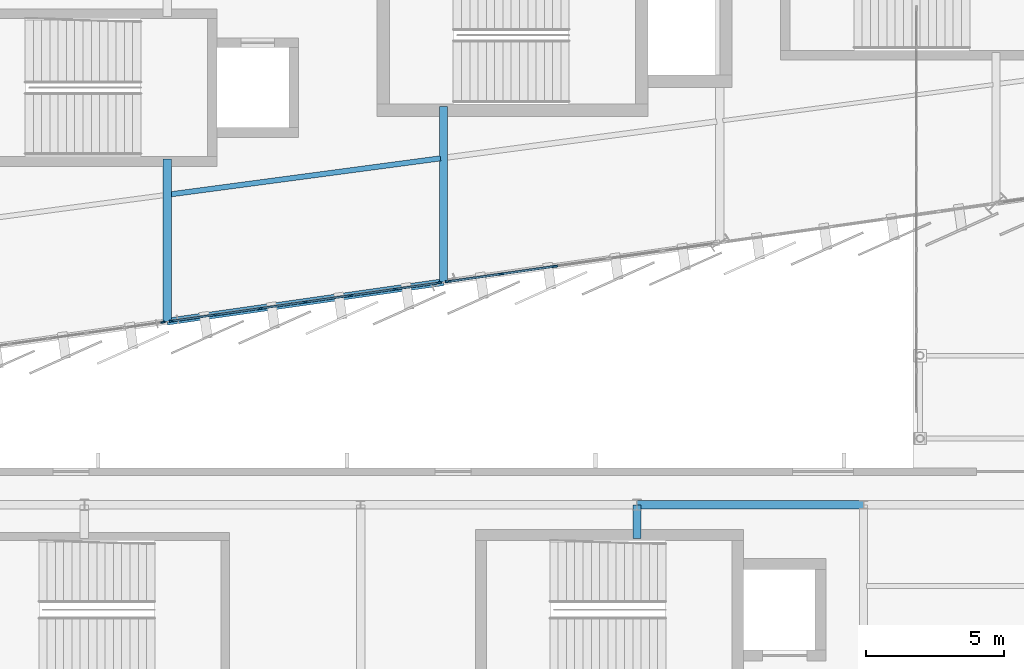
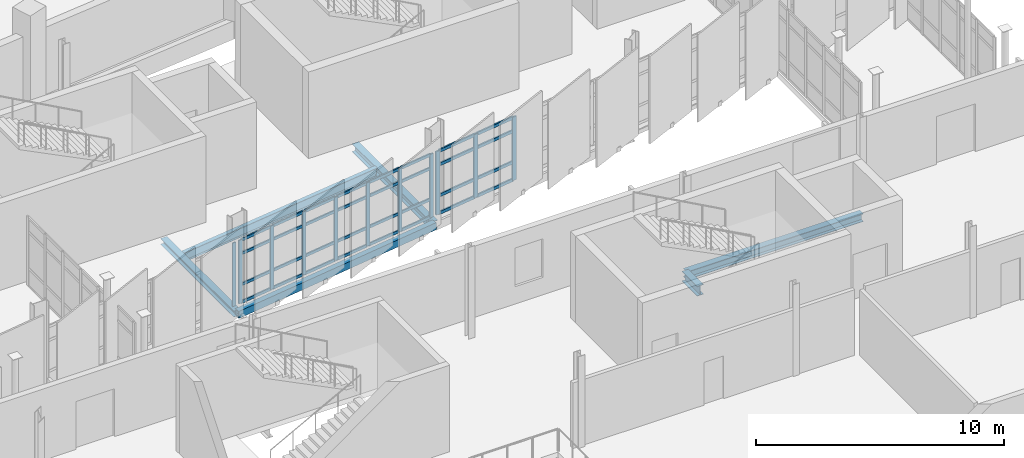
# One storey, part 37 of 134: 43 members, 6 beams, 3 elements without a shape of their own.
"""IFC4 building model written with IfcOpenShell, lengths in metres."""

from ifc_helpers import new_model, si_unit, direction, frame, origin, origin_2d, place, context, subcontext, project, spatial, rectangle, hollow_rectangle, i_section, extrude, material, layer, layer_set, material_profile, profile_set, type_object, element, aggregate, save


model = new_model("IFC4")

# Units and contexts
model_context = context("Model", 3, precision=1e-05, world=origin(), true_north=direction((0.0, 1.0)))
body_context = subcontext(model_context, "Body", "Model", "MODEL_VIEW")
ifc_project = project(units=[si_unit("LENGTHUNIT", "METRE"), si_unit("AREAUNIT", "SQUARE_METRE"), si_unit("VOLUMEUNIT", "CUBIC_METRE"), si_unit("PLANEANGLEUNIT", "RADIAN"), si_unit("MASSUNIT", "GRAM", prefix="KILO")], contexts=[model_context])

# Site, building, storey
site_placement = place(None, origin())
site = spatial("IfcSite", under=ifc_project, at=site_placement, CompositionType="ELEMENT")
building_placement = place(site_placement, origin())
building = spatial("IfcBuilding", under=site, at=building_placement, Name="Sohan Crest Arena", CompositionType="ELEMENT")
storey_placement = place(building_placement, frame((0.0, 0.0, 4.5)))
storey = spatial("IfcBuildingStorey", under=building, at=storey_placement, Name="L01", CompositionType="ELEMENT", Elevation=4.5)

# Curtain wall, member
ifc_material_1 = material(Name="Thermally broken anodised aluminium", Category="aluminium")
ifc_layer_1 = layer(ifc_material_1, 0.179931640625, Name="Thermally broken anodised aluminium")
ifc_layer_set_1 = layer_set([ifc_layer_1], Name="Thermally broken anodised aluminium")
curtain_wall_type_1 = type_object("IfcCurtainWallType", Name="ARC-CW01", PredefinedType="NOTDEFINED", material=ifc_layer_set_1)
curtain_wall_1_placement = place(storey_placement, origin())
curtain_wall_1 = element("IfcCurtainWall", 1, at=curtain_wall_1_placement, inside=storey, type_object=curtain_wall_type_1, Name="Unitised curtain wall CW-030", PredefinedType="NOTDEFINED")
ifc_material_profile_1 = material_profile(ifc_material_1, rectangle(XDim=0.06005859375, YDim=0.159912109375, at=origin_2d()), Name="ALU-MULL 60x160")
ifc_profile_set_1 = profile_set([ifc_material_profile_1], Name="Thermally broken anodised aluminium")
member_type_1 = type_object("IfcMemberType", Name="ARC-CW-ML01", PredefinedType="MULLION", material=ifc_profile_set_1)
member_1_placement = place(storey_placement, frame((107.84130859375, 31.40673828125, 0.0), z_axis=(0.0, 0.0, 1.0), x_axis=(-0.141549389674, 0.989931194722, 0.0)))
member_1 = element("IfcMember", 2, at=member_1_placement, type_object=member_type_1, Name="CW-030 mullion 8", PredefinedType="MULLION", context=body_context, shape_type="SweptSolid", body=[
    extrude(rectangle(XDim=0.06005859375, YDim=0.159912109375, at=origin_2d()), origin(), (0.0, 0.0, 1.0), 3.1201171875),
])
aggregate(curtain_wall_1, [member_1])

# Curtain wall, members
ifc_layer_2 = layer(ifc_material_1, 0.199951171875, Name="Thermally broken anodised aluminium")
ifc_layer_set_2 = layer_set([ifc_layer_2], Name="Thermally broken anodised aluminium")
curtain_wall_type_2 = type_object("IfcCurtainWallType", Name="ARC-CW02", PredefinedType="NOTDEFINED", material=ifc_layer_set_2)
curtain_wall_2_placement = place(storey_placement, origin())
curtain_wall_2 = element("IfcCurtainWall", 3, at=curtain_wall_2_placement, inside=storey, type_object=curtain_wall_type_2, Name="Unitised curtain wall CW-031", PredefinedType="NOTDEFINED")
ifc_material_profile_2 = material_profile(ifc_material_1, rectangle(XDim=0.06494140625, YDim=0.179931640625, at=origin_2d()), Name="ALU-MULL 65x180")
ifc_profile_set_2 = profile_set([ifc_material_profile_2], Name="Thermally broken anodised aluminium")
member_type_2 = type_object("IfcMemberType", Name="ARC-CW-ML02", PredefinedType="MULLION", material=ifc_profile_set_2)
member_2_placement = place(storey_placement, frame((108.1611328125, 31.45166015625, 0.0), z_axis=(0.0, 0.0, 1.0), x_axis=(-0.141449808729, 0.989945428602, 0.0)))
member_2 = element("IfcMember", 4, at=member_2_placement, type_object=member_type_2, Name="CW-031 mullion 1", PredefinedType="MULLION", context=body_context, shape_type="SweptSolid", body=[
    extrude(rectangle(XDim=0.06494140625, YDim=0.179931640625, at=origin_2d()), origin(), (0.0, 0.0, 1.0), 3.1201171875),
])
member_3_placement = place(storey_placement, frame((109.752685546875, 31.678955078125, 0.0), z_axis=(0.0, 0.0, 1.0), x_axis=(-0.141449808729, 0.989945428602, 0.0)))
member_3 = element("IfcMember", 5, at=member_3_placement, type_object=member_type_2, Name="CW-031 mullion 2", PredefinedType="MULLION", context=body_context, shape_type="SweptSolid", body=[
    extrude(rectangle(XDim=0.06494140625, YDim=0.179931640625, at=origin_2d()), origin(), (0.0, 0.0, 1.0), 3.1201171875),
])
member_4_placement = place(storey_placement, frame((111.376220703125, 31.910888671875, 0.0), z_axis=(0.0, 0.0, 1.0), x_axis=(-0.141449808729, 0.989945428602, 0.0)))
member_4 = element("IfcMember", 6, at=member_4_placement, type_object=member_type_2, Name="CW-031 mullion 3", PredefinedType="MULLION", context=body_context, shape_type="SweptSolid", body=[
    extrude(rectangle(XDim=0.06494140625, YDim=0.179931640625, at=origin_2d()), origin(), (0.0, 0.0, 1.0), 3.1201171875),
])
member_5_placement = place(storey_placement, frame((113.0, 32.14306640625, 0.0), z_axis=(0.0, 0.0, 1.0), x_axis=(-0.141449808729, 0.989945428602, 0.0)))
member_5 = element("IfcMember", 7, at=member_5_placement, type_object=member_type_2, Name="CW-031 mullion 4", PredefinedType="MULLION", context=body_context, shape_type="SweptSolid", body=[
    extrude(rectangle(XDim=0.06494140625, YDim=0.179931640625, at=origin_2d()), origin(), (0.0, 0.0, 1.0), 3.1201171875),
])
member_6_placement = place(storey_placement, frame((114.623779296875, 32.375, 0.0), z_axis=(0.0, 0.0, 1.0), x_axis=(-0.141449808729, 0.989945428602, 0.0)))
member_6 = element("IfcMember", 8, at=member_6_placement, type_object=member_type_2, Name="CW-031 mullion 5", PredefinedType="MULLION", context=body_context, shape_type="SweptSolid", body=[
    extrude(rectangle(XDim=0.06494140625, YDim=0.179931640625, at=origin_2d()), origin(), (0.0, 0.0, 1.0), 3.1201171875),
])
member_7_placement = place(storey_placement, frame((116.247314453125, 32.60693359375, 0.0), z_axis=(0.0, 0.0, 1.0), x_axis=(-0.141449808729, 0.989945428602, 0.0)))
member_7 = element("IfcMember", 9, at=member_7_placement, type_object=member_type_2, Name="CW-031 mullion 6", PredefinedType="MULLION", context=body_context, shape_type="SweptSolid", body=[
    extrude(rectangle(XDim=0.06494140625, YDim=0.179931640625, at=origin_2d()), origin(), (0.0, 0.0, 1.0), 3.1201171875),
])
member_8_placement = place(storey_placement, frame((117.8388671875, 32.83447265625, 0.0), z_axis=(0.0, 0.0, 1.0), x_axis=(-0.141449808729, 0.989945428602, 0.0)))
member_8 = element("IfcMember", 10, at=member_8_placement, type_object=member_type_2, Name="CW-031 mullion 7", PredefinedType="MULLION", context=body_context, shape_type="SweptSolid", body=[
    extrude(rectangle(XDim=0.06494140625, YDim=0.179931640625, at=origin_2d()), origin(), (0.0, 0.0, 1.0), 3.1201171875),
])

ifc_layer_3 = layer(ifc_material_1, 0.219970703125, Name="Thermally broken anodised aluminium")
ifc_layer_set_3 = layer_set([ifc_layer_3], Name="Thermally broken anodised aluminium")
curtain_wall_type_3 = type_object("IfcCurtainWallType", Name="ARC-CW03", PredefinedType="NOTDEFINED", material=ifc_layer_set_3)
curtain_wall_3_placement = place(storey_placement, origin())
curtain_wall_3 = element("IfcCurtainWall", 11, at=curtain_wall_3_placement, inside=storey, type_object=curtain_wall_type_3, Name="Unitised curtain wall CW-032", PredefinedType="NOTDEFINED")
ifc_material_profile_3 = material_profile(ifc_material_1, rectangle(XDim=0.070068359375, YDim=0.199951171875, at=origin_2d()), Name="ALU-MULL 70x200")
ifc_profile_set_3 = profile_set([ifc_material_profile_3], Name="Thermally broken anodised aluminium")
member_type_3 = type_object("IfcMemberType", Name="ARC-CW-ML03", PredefinedType="MULLION", material=ifc_profile_set_3)
member_9_placement = place(storey_placement, frame((118.16357421875, 32.8798828125, 0.0), z_axis=(0.0, 0.0, 1.0), x_axis=(-0.141549389674, 0.989931194722, 0.0)))
member_9 = element("IfcMember", 12, at=member_9_placement, type_object=member_type_3, Name="CW-032 mullion 1", PredefinedType="MULLION", context=body_context, shape_type="SweptSolid", body=[
    extrude(rectangle(XDim=0.070068359375, YDim=0.199951171875, at=origin_2d()), origin(), (0.0, 0.0, 1.0), 3.1201171875),
])
member_10_placement = place(storey_placement, frame((120.077392578125, 33.153564453125, 0.0), z_axis=(0.0, 0.0, 1.0), x_axis=(-0.141549389674, 0.989931194722, 0.0)))
member_10 = element("IfcMember", 13, at=member_10_placement, type_object=member_type_3, Name="CW-032 mullion 2", PredefinedType="MULLION", context=body_context, shape_type="SweptSolid", body=[
    extrude(rectangle(XDim=0.070068359375, YDim=0.199951171875, at=origin_2d()), origin(), (0.0, 0.0, 1.0), 3.1201171875),
])
member_11_placement = place(storey_placement, frame((122.02587890625, 33.43212890625, 0.0), z_axis=(0.0, 0.0, 1.0), x_axis=(-0.141549389674, 0.989931194722, 0.0)))
member_11 = element("IfcMember", 14, at=member_11_placement, type_object=member_type_3, Name="CW-032 mullion 3", PredefinedType="MULLION", context=body_context, shape_type="SweptSolid", body=[
    extrude(rectangle(XDim=0.070068359375, YDim=0.199951171875, at=origin_2d()), origin(), (0.0, 0.0, 1.0), 3.1201171875),
])

# Member
ifc_material_profile_4 = material_profile(ifc_material_1, rectangle(XDim=0.06494140625, YDim=0.139892578125, at=origin_2d()), Name="ALU-TRAN 65x140")
ifc_profile_set_4 = profile_set([ifc_material_profile_4], Name="Thermally broken anodised aluminium")
member_type_4 = type_object("IfcMemberType", Name="ARC-CW-TR02", PredefinedType="USERDEFINED", material=ifc_profile_set_4)
member_12_placement = place(storey_placement, frame((108.193359375, 31.456298828125, 0.032470703125), z_axis=(0.98996215108, 0.141332725966, 0.0), x_axis=(-0.141332725966, 0.98996215108, 0.0)))
member_12 = element("IfcMember", 15, at=member_12_placement, type_object=member_type_4, Name="CW-031 transom 1.1", ObjectType="TRANSOM", PredefinedType="USERDEFINED", context=body_context, shape_type="SweptSolid", body=[
    extrude(rectangle(XDim=0.06494140625, YDim=0.139892578125, at=origin_2d()), origin(), (0.0, 0.0, 1.0), 1.54248046875),
])

member_13_placement = place(storey_placement, frame((108.193359375, 31.456298828125, 0.89990234375), z_axis=(0.98996215108, 0.141332725966, 0.0), x_axis=(-0.141332725966, 0.98996215108, 0.0)))
member_13 = element("IfcMember", 16, at=member_13_placement, type_object=member_type_4, Name="CW-031 transom 1.2", ObjectType="TRANSOM", PredefinedType="USERDEFINED", context=body_context, shape_type="SweptSolid", body=[
    extrude(rectangle(XDim=0.06494140625, YDim=0.139892578125, at=origin_2d()), origin(), (0.0, 0.0, 1.0), 1.54248046875),
])

member_14_placement = place(storey_placement, frame((108.193359375, 31.456298828125, 2.419921875), z_axis=(0.98996215108, 0.141332725966, 0.0), x_axis=(-0.141332725966, 0.98996215108, 0.0)))
member_14 = element("IfcMember", 17, at=member_14_placement, type_object=member_type_4, Name="CW-031 transom 1.3", ObjectType="TRANSOM", PredefinedType="USERDEFINED", context=body_context, shape_type="SweptSolid", body=[
    extrude(rectangle(XDim=0.06494140625, YDim=0.139892578125, at=origin_2d()), origin(), (0.0, 0.0, 1.0), 1.54248046875),
])

member_15_placement = place(storey_placement, frame((108.193359375, 31.456298828125, 3.08740234375), z_axis=(0.98996215108, 0.141332725966, 0.0), x_axis=(-0.141332725966, 0.98996215108, 0.0)))
member_15 = element("IfcMember", 18, at=member_15_placement, type_object=member_type_4, Name="CW-031 transom 1.4", ObjectType="TRANSOM", PredefinedType="USERDEFINED", context=body_context, shape_type="SweptSolid", body=[
    extrude(rectangle(XDim=0.06494140625, YDim=0.139892578125, at=origin_2d()), origin(), (0.0, 0.0, 1.0), 1.54248046875),
])

member_16_placement = place(storey_placement, frame((109.784912109375, 31.68359375, 0.032470703125), z_axis=(0.989937090456, 0.141508151493, 0.0), x_axis=(-0.141508151493, 0.989937090456, 0.0)))
member_16 = element("IfcMember", 19, at=member_16_placement, type_object=member_type_4, Name="CW-031 transom 2.1", ObjectType="TRANSOM", PredefinedType="USERDEFINED", context=body_context, shape_type="SweptSolid", body=[
    extrude(rectangle(XDim=0.06494140625, YDim=0.139892578125, at=origin_2d()), origin(), (0.0, 0.0, 1.0), 1.5751953125),
])

member_17_placement = place(storey_placement, frame((109.784912109375, 31.68359375, 0.89990234375), z_axis=(0.989937090456, 0.141508151493, 0.0), x_axis=(-0.141508151493, 0.989937090456, 0.0)))
member_17 = element("IfcMember", 20, at=member_17_placement, type_object=member_type_4, Name="CW-031 transom 2.2", ObjectType="TRANSOM", PredefinedType="USERDEFINED", context=body_context, shape_type="SweptSolid", body=[
    extrude(rectangle(XDim=0.06494140625, YDim=0.139892578125, at=origin_2d()), origin(), (0.0, 0.0, 1.0), 1.5751953125),
])

member_18_placement = place(storey_placement, frame((109.784912109375, 31.68359375, 2.419921875), z_axis=(0.989937090456, 0.141508151493, 0.0), x_axis=(-0.141508151493, 0.989937090456, 0.0)))
member_18 = element("IfcMember", 21, at=member_18_placement, type_object=member_type_4, Name="CW-031 transom 2.3", ObjectType="TRANSOM", PredefinedType="USERDEFINED", context=body_context, shape_type="SweptSolid", body=[
    extrude(rectangle(XDim=0.06494140625, YDim=0.139892578125, at=origin_2d()), origin(), (0.0, 0.0, 1.0), 1.5751953125),
])

member_19_placement = place(storey_placement, frame((109.784912109375, 31.68359375, 3.08740234375), z_axis=(0.989937090456, 0.141508151493, 0.0), x_axis=(-0.141508151493, 0.989937090456, 0.0)))
member_19 = element("IfcMember", 22, at=member_19_placement, type_object=member_type_4, Name="CW-031 transom 2.4", ObjectType="TRANSOM", PredefinedType="USERDEFINED", context=body_context, shape_type="SweptSolid", body=[
    extrude(rectangle(XDim=0.06494140625, YDim=0.139892578125, at=origin_2d()), origin(), (0.0, 0.0, 1.0), 1.5751953125),
])

member_20_placement = place(storey_placement, frame((111.408447265625, 31.91552734375, 0.032470703125), z_axis=(0.989937090456, 0.141508151493, 0.0), x_axis=(-0.141508151493, 0.989937090456, 0.0)))
member_20 = element("IfcMember", 23, at=member_20_placement, type_object=member_type_4, Name="CW-031 transom 3.1", ObjectType="TRANSOM", PredefinedType="USERDEFINED", context=body_context, shape_type="SweptSolid", body=[
    extrude(rectangle(XDim=0.06494140625, YDim=0.139892578125, at=origin_2d()), origin(), (0.0, 0.0, 1.0), 1.5751953125),
])

member_21_placement = place(storey_placement, frame((111.408447265625, 31.91552734375, 0.89990234375), z_axis=(0.989937090456, 0.141508151493, 0.0), x_axis=(-0.141508151493, 0.989937090456, 0.0)))
member_21 = element("IfcMember", 24, at=member_21_placement, type_object=member_type_4, Name="CW-031 transom 3.2", ObjectType="TRANSOM", PredefinedType="USERDEFINED", context=body_context, shape_type="SweptSolid", body=[
    extrude(rectangle(XDim=0.06494140625, YDim=0.139892578125, at=origin_2d()), origin(), (0.0, 0.0, 1.0), 1.5751953125),
])

member_22_placement = place(storey_placement, frame((111.408447265625, 31.91552734375, 2.419921875), z_axis=(0.989937090456, 0.141508151493, 0.0), x_axis=(-0.141508151493, 0.989937090456, 0.0)))
member_22 = element("IfcMember", 25, at=member_22_placement, type_object=member_type_4, Name="CW-031 transom 3.3", ObjectType="TRANSOM", PredefinedType="USERDEFINED", context=body_context, shape_type="SweptSolid", body=[
    extrude(rectangle(XDim=0.06494140625, YDim=0.139892578125, at=origin_2d()), origin(), (0.0, 0.0, 1.0), 1.5751953125),
])

member_23_placement = place(storey_placement, frame((111.408447265625, 31.91552734375, 3.08740234375), z_axis=(0.989937090456, 0.141508151493, 0.0), x_axis=(-0.141508151493, 0.989937090456, 0.0)))
member_23 = element("IfcMember", 26, at=member_23_placement, type_object=member_type_4, Name="CW-031 transom 3.4", ObjectType="TRANSOM", PredefinedType="USERDEFINED", context=body_context, shape_type="SweptSolid", body=[
    extrude(rectangle(XDim=0.06494140625, YDim=0.139892578125, at=origin_2d()), origin(), (0.0, 0.0, 1.0), 1.5751953125),
])

member_24_placement = place(storey_placement, frame((113.0322265625, 32.147705078125, 0.032470703125), z_axis=(0.989958791275, 0.141356257655, 0.0), x_axis=(-0.141356257655, 0.989958791275, 0.0)))
member_24 = element("IfcMember", 27, at=member_24_placement, type_object=member_type_4, Name="CW-031 transom 4.1", ObjectType="TRANSOM", PredefinedType="USERDEFINED", context=body_context, shape_type="SweptSolid", body=[
    extrude(rectangle(XDim=0.06494140625, YDim=0.139892578125, at=origin_2d()), origin(), (0.0, 0.0, 1.0), 1.5751953125),
])

member_25_placement = place(storey_placement, frame((113.0322265625, 32.147705078125, 0.89990234375), z_axis=(0.989958791275, 0.141356257655, 0.0), x_axis=(-0.141356257655, 0.989958791275, 0.0)))
member_25 = element("IfcMember", 28, at=member_25_placement, type_object=member_type_4, Name="CW-031 transom 4.2", ObjectType="TRANSOM", PredefinedType="USERDEFINED", context=body_context, shape_type="SweptSolid", body=[
    extrude(rectangle(XDim=0.06494140625, YDim=0.139892578125, at=origin_2d()), origin(), (0.0, 0.0, 1.0), 1.5751953125),
])

member_26_placement = place(storey_placement, frame((113.0322265625, 32.147705078125, 2.419921875), z_axis=(0.989958791275, 0.141356257655, 0.0), x_axis=(-0.141356257655, 0.989958791275, 0.0)))
member_26 = element("IfcMember", 29, at=member_26_placement, type_object=member_type_4, Name="CW-031 transom 4.3", ObjectType="TRANSOM", PredefinedType="USERDEFINED", context=body_context, shape_type="SweptSolid", body=[
    extrude(rectangle(XDim=0.06494140625, YDim=0.139892578125, at=origin_2d()), origin(), (0.0, 0.0, 1.0), 1.5751953125),
])

member_27_placement = place(storey_placement, frame((113.0322265625, 32.147705078125, 3.08740234375), z_axis=(0.989958791275, 0.141356257655, 0.0), x_axis=(-0.141356257655, 0.989958791275, 0.0)))
member_27 = element("IfcMember", 30, at=member_27_placement, type_object=member_type_4, Name="CW-031 transom 4.4", ObjectType="TRANSOM", PredefinedType="USERDEFINED", context=body_context, shape_type="SweptSolid", body=[
    extrude(rectangle(XDim=0.06494140625, YDim=0.139892578125, at=origin_2d()), origin(), (0.0, 0.0, 1.0), 1.5751953125),
])

member_28_placement = place(storey_placement, frame((114.65576171875, 32.379638671875, 0.032470703125), z_axis=(0.989958791275, 0.141356257655, 0.0), x_axis=(-0.141356257655, 0.989958791275, 0.0)))
member_28 = element("IfcMember", 31, at=member_28_placement, type_object=member_type_4, Name="CW-031 transom 5.1", ObjectType="TRANSOM", PredefinedType="USERDEFINED", context=body_context, shape_type="SweptSolid", body=[
    extrude(rectangle(XDim=0.06494140625, YDim=0.139892578125, at=origin_2d()), origin(), (0.0, 0.0, 1.0), 1.5751953125),
])

member_29_placement = place(storey_placement, frame((114.65576171875, 32.379638671875, 0.89990234375), z_axis=(0.989958791275, 0.141356257655, 0.0), x_axis=(-0.141356257655, 0.989958791275, 0.0)))
member_29 = element("IfcMember", 32, at=member_29_placement, type_object=member_type_4, Name="CW-031 transom 5.2", ObjectType="TRANSOM", PredefinedType="USERDEFINED", context=body_context, shape_type="SweptSolid", body=[
    extrude(rectangle(XDim=0.06494140625, YDim=0.139892578125, at=origin_2d()), origin(), (0.0, 0.0, 1.0), 1.5751953125),
])

member_30_placement = place(storey_placement, frame((114.65576171875, 32.379638671875, 2.419921875), z_axis=(0.989958791275, 0.141356257655, 0.0), x_axis=(-0.141356257655, 0.989958791275, 0.0)))
member_30 = element("IfcMember", 33, at=member_30_placement, type_object=member_type_4, Name="CW-031 transom 5.3", ObjectType="TRANSOM", PredefinedType="USERDEFINED", context=body_context, shape_type="SweptSolid", body=[
    extrude(rectangle(XDim=0.06494140625, YDim=0.139892578125, at=origin_2d()), origin(), (0.0, 0.0, 1.0), 1.5751953125),
])

member_31_placement = place(storey_placement, frame((114.65576171875, 32.379638671875, 3.08740234375), z_axis=(0.989958791275, 0.141356257655, 0.0), x_axis=(-0.141356257655, 0.989958791275, 0.0)))
member_31 = element("IfcMember", 34, at=member_31_placement, type_object=member_type_4, Name="CW-031 transom 5.4", ObjectType="TRANSOM", PredefinedType="USERDEFINED", context=body_context, shape_type="SweptSolid", body=[
    extrude(rectangle(XDim=0.06494140625, YDim=0.139892578125, at=origin_2d()), origin(), (0.0, 0.0, 1.0), 1.5751953125),
])

member_32_placement = place(storey_placement, frame((116.279541015625, 32.611572265625, 0.032470703125), z_axis=(0.989939995602, 0.14148782671, 0.0), x_axis=(-0.14148782671, 0.989939995602, 0.0)))
member_32 = element("IfcMember", 35, at=member_32_placement, type_object=member_type_4, Name="CW-031 transom 6.1", ObjectType="TRANSOM", PredefinedType="USERDEFINED", context=body_context, shape_type="SweptSolid", body=[
    extrude(rectangle(XDim=0.06494140625, YDim=0.139892578125, at=origin_2d()), origin(), (0.0, 0.0, 1.0), 1.542724609375),
])

member_33_placement = place(storey_placement, frame((116.279541015625, 32.611572265625, 0.89990234375), z_axis=(0.989939995602, 0.14148782671, 0.0), x_axis=(-0.14148782671, 0.989939995602, 0.0)))
member_33 = element("IfcMember", 36, at=member_33_placement, type_object=member_type_4, Name="CW-031 transom 6.2", ObjectType="TRANSOM", PredefinedType="USERDEFINED", context=body_context, shape_type="SweptSolid", body=[
    extrude(rectangle(XDim=0.06494140625, YDim=0.139892578125, at=origin_2d()), origin(), (0.0, 0.0, 1.0), 1.542724609375),
])

member_34_placement = place(storey_placement, frame((116.279541015625, 32.611572265625, 2.419921875), z_axis=(0.989939995602, 0.14148782671, 0.0), x_axis=(-0.14148782671, 0.989939995602, 0.0)))
member_34 = element("IfcMember", 37, at=member_34_placement, type_object=member_type_4, Name="CW-031 transom 6.3", ObjectType="TRANSOM", PredefinedType="USERDEFINED", context=body_context, shape_type="SweptSolid", body=[
    extrude(rectangle(XDim=0.06494140625, YDim=0.139892578125, at=origin_2d()), origin(), (0.0, 0.0, 1.0), 1.542724609375),
])

member_35_placement = place(storey_placement, frame((116.279541015625, 32.611572265625, 3.08740234375), z_axis=(0.989939995602, 0.14148782671, 0.0), x_axis=(-0.14148782671, 0.989939995602, 0.0)))
member_35 = element("IfcMember", 38, at=member_35_placement, type_object=member_type_4, Name="CW-031 transom 6.4", ObjectType="TRANSOM", PredefinedType="USERDEFINED", context=body_context, shape_type="SweptSolid", body=[
    extrude(rectangle(XDim=0.06494140625, YDim=0.139892578125, at=origin_2d()), origin(), (0.0, 0.0, 1.0), 1.542724609375),
])

aggregate(curtain_wall_2, [member_2, member_3, member_4, member_5, member_6, member_7, member_8, member_12, member_13, member_14, member_15, member_16, member_17, member_18, member_19, member_20, member_21, member_22, member_23, member_24, member_25, member_26, member_27, member_28, member_29, member_30, member_31, member_32, member_33, member_34, member_35])

ifc_material_profile_5 = material_profile(ifc_material_1, rectangle(XDim=0.070068359375, YDim=0.14990234375, at=origin_2d()), Name="ALU-TRAN 70x150")
ifc_profile_set_5 = profile_set([ifc_material_profile_5], Name="Thermally broken anodised aluminium")
member_type_5 = type_object("IfcMemberType", Name="ARC-CW-TR03", PredefinedType="USERDEFINED", material=ifc_profile_set_5)
member_36_placement = place(storey_placement, frame((118.1982421875, 32.885009765625, 0.034912109375), z_axis=(0.989936386349, 0.141513077069, 0.0), x_axis=(-0.141513077069, 0.989936386349, 0.0)))
member_36 = element("IfcMember", 39, at=member_36_placement, type_object=member_type_5, Name="CW-032 transom 1.1", ObjectType="TRANSOM", PredefinedType="USERDEFINED", context=body_context, shape_type="SweptSolid", body=[
    extrude(rectangle(XDim=0.070068359375, YDim=0.14990234375, at=origin_2d()), origin(), (0.0, 0.0, 1.0), 1.86328125),
])

member_37_placement = place(storey_placement, frame((118.1982421875, 32.885009765625, 0.89990234375), z_axis=(0.989936386349, 0.141513077069, 0.0), x_axis=(-0.141513077069, 0.989936386349, 0.0)))
member_37 = element("IfcMember", 40, at=member_37_placement, type_object=member_type_5, Name="CW-032 transom 1.2", ObjectType="TRANSOM", PredefinedType="USERDEFINED", context=body_context, shape_type="SweptSolid", body=[
    extrude(rectangle(XDim=0.070068359375, YDim=0.14990234375, at=origin_2d()), origin(), (0.0, 0.0, 1.0), 1.86328125),
])

member_38_placement = place(storey_placement, frame((118.1982421875, 32.885009765625, 2.419921875), z_axis=(0.989936386349, 0.141513077069, 0.0), x_axis=(-0.141513077069, 0.989936386349, 0.0)))
member_38 = element("IfcMember", 41, at=member_38_placement, type_object=member_type_5, Name="CW-032 transom 1.3", ObjectType="TRANSOM", PredefinedType="USERDEFINED", context=body_context, shape_type="SweptSolid", body=[
    extrude(rectangle(XDim=0.070068359375, YDim=0.14990234375, at=origin_2d()), origin(), (0.0, 0.0, 1.0), 1.86328125),
])

member_39_placement = place(storey_placement, frame((118.1982421875, 32.885009765625, 3.0849609375), z_axis=(0.989936386349, 0.141513077069, 0.0), x_axis=(-0.141513077069, 0.989936386349, 0.0)))
member_39 = element("IfcMember", 42, at=member_39_placement, type_object=member_type_5, Name="CW-032 transom 1.4", ObjectType="TRANSOM", PredefinedType="USERDEFINED", context=body_context, shape_type="SweptSolid", body=[
    extrude(rectangle(XDim=0.070068359375, YDim=0.14990234375, at=origin_2d()), origin(), (0.0, 0.0, 1.0), 1.86328125),
])

member_40_placement = place(storey_placement, frame((120.112060546875, 33.158447265625, 0.034912109375), z_axis=(0.989923754959, 0.141601410187, 0.0), x_axis=(-0.141601410187, 0.989923754959, 0.0)))
member_40 = element("IfcMember", 43, at=member_40_placement, type_object=member_type_5, Name="CW-032 transom 2.1", ObjectType="TRANSOM", PredefinedType="USERDEFINED", context=body_context, shape_type="SweptSolid", body=[
    extrude(rectangle(XDim=0.070068359375, YDim=0.14990234375, at=origin_2d()), origin(), (0.0, 0.0, 1.0), 1.898193359375),
])

member_41_placement = place(storey_placement, frame((120.112060546875, 33.158447265625, 0.89990234375), z_axis=(0.989923754959, 0.141601410187, 0.0), x_axis=(-0.141601410187, 0.989923754959, 0.0)))
member_41 = element("IfcMember", 44, at=member_41_placement, type_object=member_type_5, Name="CW-032 transom 2.2", ObjectType="TRANSOM", PredefinedType="USERDEFINED", context=body_context, shape_type="SweptSolid", body=[
    extrude(rectangle(XDim=0.070068359375, YDim=0.14990234375, at=origin_2d()), origin(), (0.0, 0.0, 1.0), 1.898193359375),
])

member_42_placement = place(storey_placement, frame((120.112060546875, 33.158447265625, 2.419921875), z_axis=(0.989923754959, 0.141601410187, 0.0), x_axis=(-0.141601410187, 0.989923754959, 0.0)))
member_42 = element("IfcMember", 45, at=member_42_placement, type_object=member_type_5, Name="CW-032 transom 2.3", ObjectType="TRANSOM", PredefinedType="USERDEFINED", context=body_context, shape_type="SweptSolid", body=[
    extrude(rectangle(XDim=0.070068359375, YDim=0.14990234375, at=origin_2d()), origin(), (0.0, 0.0, 1.0), 1.898193359375),
])

member_43_placement = place(storey_placement, frame((120.112060546875, 33.158447265625, 3.0849609375), z_axis=(0.989923754959, 0.141601410187, 0.0), x_axis=(-0.141601410187, 0.989923754959, 0.0)))
member_43 = element("IfcMember", 46, at=member_43_placement, type_object=member_type_5, Name="CW-032 transom 2.4", ObjectType="TRANSOM", PredefinedType="USERDEFINED", context=body_context, shape_type="SweptSolid", body=[
    extrude(rectangle(XDim=0.070068359375, YDim=0.14990234375, at=origin_2d()), origin(), (0.0, 0.0, 1.0), 1.898193359375),
])

aggregate(curtain_wall_3, [member_9, member_10, member_11, member_36, member_37, member_38, member_39, member_40, member_41, member_42, member_43])

# Beams
ifc_material_2 = material(Name="Steel S355", Category="steel")
ifc_material_profile_6 = material_profile(ifc_material_2, i_section(OverallWidth=0.18994140625, OverallDepth=0.449951171875, WebThickness=0.009521484375, FlangeThickness=0.0146484375, at=origin_2d()), Name="IPE 450")
ifc_profile_set_6 = profile_set([ifc_material_profile_6], Name="Steel S355")
beam_type_1 = type_object("IfcBeamType", Name="STR-BM-B04", PredefinedType="JOIST", material=ifc_profile_set_6)
beam_1_placement = place(storey_placement, frame((108.10888671875, 36.035888671875, -0.5), z_axis=(0.991229196985, 0.132153997462, 0.0), x_axis=(-0.132153997462, 0.991229196985, 0.0)))
element("IfcBeam", 47, at=beam_1_placement, inside=storey, type_object=beam_type_1, Name="Structural beam J-L01-1147", PredefinedType="JOIST", context=body_context, shape_type="SweptSolid", body=[
    extrude(i_section(OverallWidth=0.18994140625, OverallDepth=0.449951171875, WebThickness=0.009521484375, FlangeThickness=0.0146484375, at=origin_2d()), origin(), (0.0, 0.0, 1.0), 9.868896484375),
])
ifc_material_profile_7 = material_profile(ifc_material_2, i_section(OverallWidth=0.300048828125, OverallDepth=0.389892578125, WebThickness=0.010986328125, FlangeThickness=0.01904296875, at=origin_2d()), Name="HEA 400")
ifc_profile_set_7 = profile_set([ifc_material_profile_7], Name="Steel S355")
beam_type_2 = type_object("IfcBeamType", Name="STR-BM-B09", PredefinedType="BEAM", material=ifc_profile_set_7)
beam_2_placement = place(storey_placement, frame((125.0, 24.800048828125, -0.445068359375), z_axis=(1.0, 0.0, 0.0), x_axis=(0.0, 1.0, 0.0)))
element("IfcBeam", 48, at=beam_2_placement, inside=storey, type_object=beam_type_2, Name="Structural beam G-L01-2624", PredefinedType="BEAM", context=body_context, shape_type="SweptSolid", body=[
    extrude(i_section(OverallWidth=0.300048828125, OverallDepth=0.389892578125, WebThickness=0.010986328125, FlangeThickness=0.01904296875, at=origin_2d()), origin(), (0.0, 0.0, 1.0), 8.199951171875),
])
ifc_material_profile_8 = material_profile(ifc_material_2, i_section(OverallWidth=0.300048828125, OverallDepth=0.489990234375, WebThickness=0.011962890625, FlangeThickness=0.02294921875, at=origin_2d()), Name="HEA 500")
ifc_profile_set_8 = profile_set([ifc_material_profile_8], Name="Steel S355")
beam_type_3 = type_object("IfcBeamType", Name="STR-BM-B10", PredefinedType="BEAM", material=ifc_profile_set_8)
beam_3_placement = place(storey_placement, frame((125.0, 23.580078125, -0.4951171875), z_axis=(0.0, 1.0, 0.0), x_axis=(-1.0, 0.0, 0.0)))
element("IfcBeam", 49, at=beam_3_placement, inside=storey, type_object=beam_type_3, Name="Structural beam G-L01-2583", PredefinedType="BEAM", context=body_context, shape_type="SweptSolid", body=[
    extrude(i_section(OverallWidth=0.300048828125, OverallDepth=0.489990234375, WebThickness=0.011962890625, FlangeThickness=0.02294921875, at=origin_2d()), origin(), (0.0, 0.0, 1.0), 1.219970703125),
])
ifc_material_profile_9 = material_profile(ifc_material_2, i_section(OverallWidth=0.300048828125, OverallDepth=0.300048828125, WebThickness=0.010986328125, FlangeThickness=0.01904296875, at=origin_2d()), Name="HEB 300")
ifc_profile_set_9 = profile_set([ifc_material_profile_9], Name="Steel S355")
beam_type_4 = type_object("IfcBeamType", Name="STR-BM-B12", PredefinedType="BEAM", material=ifc_profile_set_9)
beam_4_placement = place(storey_placement, frame((108.0, 37.320068359375, -0.425048828125), z_axis=(0.0, -1.0, 0.0), x_axis=(1.0, 0.0, 0.0)))
element("IfcBeam", 50, at=beam_4_placement, inside=storey, type_object=beam_type_4, Name="Structural beam G-L01-1144", PredefinedType="BEAM", context=body_context, shape_type="SweptSolid", body=[
    extrude(i_section(OverallWidth=0.300048828125, OverallDepth=0.300048828125, WebThickness=0.010986328125, FlangeThickness=0.01904296875, at=origin_2d()), origin(), (0.0, 0.0, 1.0), 5.89111328125),
])
ifc_material_profile_10 = material_profile(ifc_material_2, i_section(OverallWidth=0.300048828125, OverallDepth=0.39990234375, WebThickness=0.013427734375, FlangeThickness=0.02392578125, at=origin_2d()), Name="HEB 400")
ifc_profile_set_10 = profile_set([ifc_material_profile_10], Name="Steel S355")
beam_type_5 = type_object("IfcBeamType", Name="STR-BM-B13", PredefinedType="BEAM", material=ifc_profile_set_10)
beam_5_placement = place(storey_placement, frame((118.0, 39.219970703125, -0.47509765625), z_axis=(0.0, -1.0, 0.0), x_axis=(1.0, 0.0, 0.0)))
element("IfcBeam", 51, at=beam_5_placement, inside=storey, type_object=beam_type_5, Name="Structural beam G-L01-1149", PredefinedType="BEAM", context=body_context, shape_type="SweptSolid", body=[
    extrude(i_section(OverallWidth=0.300048828125, OverallDepth=0.39990234375, WebThickness=0.013427734375, FlangeThickness=0.02392578125, at=origin_2d()), origin(), (0.0, 0.0, 1.0), 6.363037109375),
])
ifc_material_profile_11 = material_profile(ifc_material_2, hollow_rectangle(XDim=0.25, YDim=0.35009765625, WallThickness=0.012451171875, at=origin_2d()), Name="RHS 350x250x12.5")
ifc_profile_set_11 = profile_set([ifc_material_profile_11], Name="Steel S355")
beam_type_6 = type_object("IfcBeamType", Name="STR-BM-SP04", PredefinedType="SPANDREL", material=ifc_profile_set_11)
beam_6_placement = place(storey_placement, frame((108.0, 31.428955078125, -0.449951171875), z_axis=(0.989957709412, 0.141363834042, 0.0), x_axis=(-0.141363834042, 0.989957709412, 0.0)))
element("IfcBeam", 52, at=beam_6_placement, inside=storey, type_object=beam_type_6, Name="Structural beam SP-L01-1146", PredefinedType="SPANDREL", context=body_context, shape_type="SweptSolid", body=[
    extrude(hollow_rectangle(XDim=0.25, YDim=0.35009765625, WallThickness=0.012451171875, at=origin_2d()), origin(), (0.0, 0.0, 1.0), 10.1015625),
])

save(model, "model.ifc")
